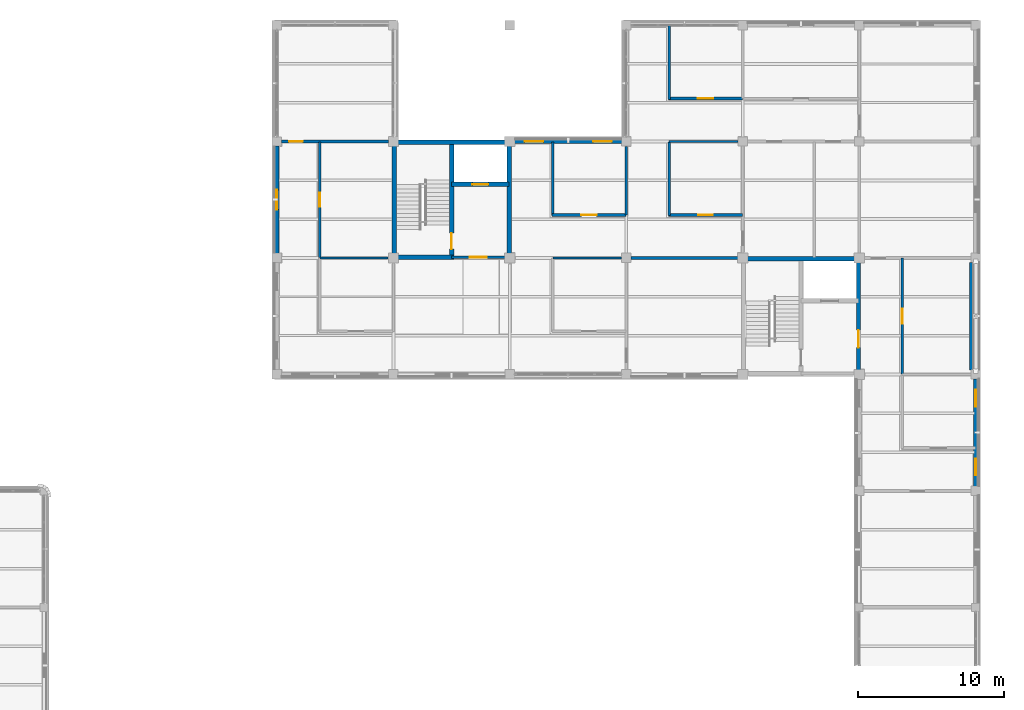
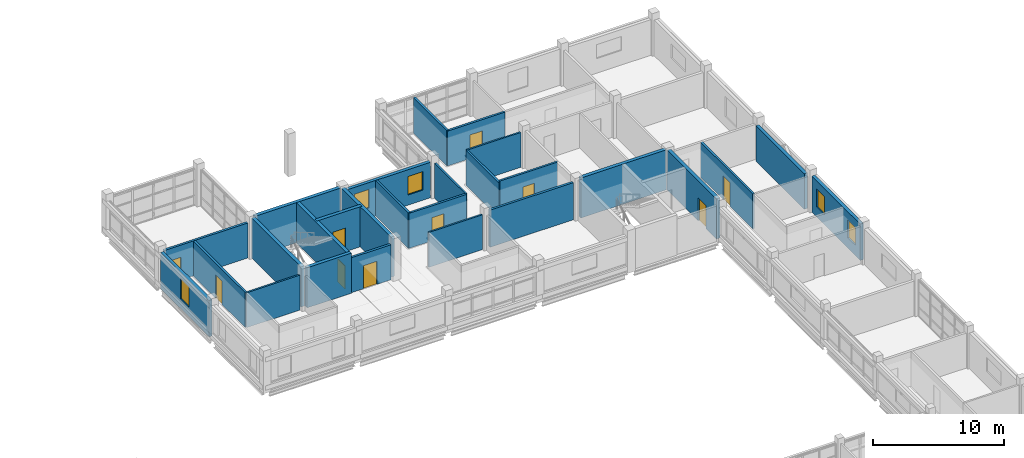
# One storey, part 87 of 107: 27 walls, 10 doors, 5 windows, 15 openings.
"""IFC4 building model written with IfcOpenShell, lengths in metres."""

from ifc_helpers import new_model, si_unit, derived_unit, direction, frame, frame_2d, origin, place, context, subcontext, project, spatial, rectangle, extrude, material, layer, layer_set, type_object, element, fill, save


model = new_model("IFC4")

# Units and contexts
model_context = context("Model", 3, precision=1e-05, world=origin(), true_north=direction((0.0, 1.0)))
body_context = subcontext(model_context, "Body", "Model", "MODEL_VIEW")
ifc_project = project(units=[si_unit("LENGTHUNIT", "METRE"), si_unit("AREAUNIT", "SQUARE_METRE"), si_unit("VOLUMEUNIT", "CUBIC_METRE"), si_unit("PLANEANGLEUNIT", "RADIAN"), si_unit("MASSUNIT", "GRAM", prefix="KILO"), derived_unit("THERMALTRANSMITTANCEUNIT", [(si_unit("MASSUNIT", "GRAM", prefix="KILO"), 1), (si_unit("TIMEUNIT", "SECOND"), -3), (si_unit("THERMODYNAMICTEMPERATUREUNIT", "KELVIN"), -1)])], contexts=[model_context])

# Site, building, storey
site_placement = place(None, origin())
site = spatial("IfcSite", under=ifc_project, at=site_placement, CompositionType="ELEMENT")
building_placement = place(site_placement, origin())
building = spatial("IfcBuilding", under=site, at=building_placement, Name="Veyamyaing Civic Hall", CompositionType="ELEMENT")
storey_placement = place(building_placement, frame((0.0, 0.0, 13.860107421875)))
storey = spatial("IfcBuildingStorey", under=building, at=storey_placement, Name="L03", CompositionType="ELEMENT", Elevation=13.860107421875)

# Wall, opening, window
ifc_material_1 = material(Name="Precast concrete C40/50", Category="concrete")
ifc_layer_1 = layer(ifc_material_1, 0.280029296875, Name="Precast concrete C40/50")
ifc_layer_set_1 = layer_set([ifc_layer_1], Name="Precast concrete C40/50")
wall_type_1 = type_object("IfcWallType", Name="WT-04", PredefinedType="SOLIDWALL", material=ifc_layer_set_1)
wall_1_placement = place(storey_placement, frame((128.0, 96.31005859375, 0.0), z_axis=(0.0, 0.0, 1.0), x_axis=(0.0, 1.0, 0.0)))
wall_1 = element("IfcWall", 1, at=wall_1_placement, inside=storey, type_object=wall_type_1, Name="Exterior facade wall WT-04 L03 W 17.13", PredefinedType="SOLIDWALL", context=body_context, shape_type="SweptSolid", body=[
    extrude(rectangle(XDim=7.3798828125, YDim=0.280029296875, at=frame_2d((3.68994140625, 0.0))), origin(), (0.0, 0.0, 1.0), 3.366943359375),
])
opening_1_placement = place(wall_1_placement, frame((3.014892578125, 0.0, 0.89990234375)))
opening_1 = element("IfcOpeningElement", 2, at=opening_1_placement, cuts=wall_1, Name="Opening W-13", PredefinedType="OPENING", context=body_context, shape_type="SweptSolid", body=[
    extrude(rectangle(XDim=1.35009765625, YDim=1.89990234375, at=frame_2d((0.675048828125, 0.949951171875))), frame((0.0, 0.14990234375, 0.0), z_axis=(0.0, -1.0, 0.0), x_axis=(1.0, 0.0, 0.0)), (0.0, 0.0, 1.0), 0.300048828125),
])
ifc_material_2 = material(Name="Low-E insulated glass", Category="glass")
window_type_1 = type_object("IfcWindowType", Name="W-13", PartitioningType="SINGLE_PANEL", PredefinedType="WINDOW", material=ifc_material_2)
window_1_placement = place(opening_1_placement, origin())
window_1 = element("IfcWindow", 3, at=window_1_placement, inside=storey, type_object=window_type_1, Name="Facade window W-13 L03 W 17.13", OverallHeight=1.89990234375, OverallWidth=1.35009765625, PartitioningType="SINGLE_PANEL", PredefinedType="WINDOW", context=body_context, shape_type="SweptSolid", body=[
    extrude(rectangle(XDim=1.35009765625, YDim=1.89990234375, at=frame_2d((0.675048828125, 0.949951171875))), frame((0.0, 0.030029296875, 0.0), z_axis=(0.0, -1.0, 0.0), x_axis=(1.0, 0.0, 0.0)), (0.0, 0.0, 1.0), 0.06005859375),
])
fill(opening_1, window_1)

# Wall, openings, windows
wall_2_placement = place(storey_placement, frame((144.3349609375, 104.0, 0.0), z_axis=(0.0, 0.0, 1.0), x_axis=(1.0, 0.0, 0.0)))
wall_2 = element("IfcWall", 4, at=wall_2_placement, inside=storey, type_object=wall_type_1, Name="Exterior facade wall WT-04 L03 N 19.13", PredefinedType="SOLIDWALL", context=body_context, shape_type="SweptSolid", body=[
    extrude(rectangle(XDim=7.35498046875, YDim=0.280029296875, at=frame_2d((3.677490234375, 0.0))), origin(), (0.0, 0.0, 1.0), 3.303955078125),
])
opening_2_placement = place(wall_2_placement, frame((0.683837890625, 0.0, 0.949951171875)))
opening_2 = element("IfcOpeningElement", 5, at=opening_2_placement, cuts=wall_2, Name="Opening W-31", PredefinedType="OPENING", context=body_context, shape_type="SweptSolid", body=[
    extrude(rectangle(XDim=1.280029296875, YDim=1.719970703125, at=frame_2d((0.64013671875, 0.85986328125))), frame((0.0, 0.14990234375, 0.0), z_axis=(0.0, -1.0, 0.0), x_axis=(1.0, 0.0, 0.0)), (0.0, 0.0, 1.0), 0.300048828125),
])
opening_3_placement = place(wall_2_placement, frame((5.39111328125, 0.0, 0.949951171875)))
opening_3 = element("IfcOpeningElement", 6, at=opening_3_placement, cuts=wall_2, Name="Opening W-31", PredefinedType="OPENING", context=body_context, shape_type="SweptSolid", body=[
    extrude(rectangle(XDim=1.280029296875, YDim=1.719970703125, at=frame_2d((0.64013671875, 0.85986328125))), frame((0.0, 0.14990234375, 0.0), z_axis=(0.0, -1.0, 0.0), x_axis=(1.0, 0.0, 0.0)), (0.0, 0.0, 1.0), 0.300048828125),
])
window_type_2 = type_object("IfcWindowType", Name="W-31", PartitioningType="SINGLE_PANEL", PredefinedType="WINDOW", material=ifc_material_2)
window_2_placement = place(opening_2_placement, origin())
window_2 = element("IfcWindow", 7, at=window_2_placement, inside=storey, type_object=window_type_2, Name="Facade window W-31 L03 N 19.13.1", OverallHeight=1.719970703125, OverallWidth=1.280029296875, PartitioningType="SINGLE_PANEL", PredefinedType="WINDOW", context=body_context, shape_type="SweptSolid", body=[
    extrude(rectangle(XDim=1.280029296875, YDim=1.719970703125, at=frame_2d((0.64013671875, 0.85986328125))), frame((0.0, 0.030029296875, 0.0), z_axis=(0.0, -1.0, 0.0), x_axis=(1.0, 0.0, 0.0)), (0.0, 0.0, 1.0), 0.06005859375),
])
fill(opening_2, window_2)
window_3_placement = place(opening_3_placement, origin())
window_3 = element("IfcWindow", 8, at=window_3_placement, inside=storey, type_object=window_type_2, Name="Facade window W-31 L03 N 19.13.2", OverallHeight=1.719970703125, OverallWidth=1.280029296875, PartitioningType="SINGLE_PANEL", PredefinedType="WINDOW", context=body_context, shape_type="SweptSolid", body=[
    extrude(rectangle(XDim=1.280029296875, YDim=1.719970703125, at=frame_2d((0.64013671875, 0.85986328125))), frame((0.0, 0.030029296875, 0.0), z_axis=(0.0, -1.0, 0.0), x_axis=(1.0, 0.0, 0.0)), (0.0, 0.0, 1.0), 0.06005859375),
])
fill(opening_3, window_3)

wall_3_placement = place(storey_placement, frame((176.0, 80.31005859375, 0.0), z_axis=(0.0, 0.0, 1.0), x_axis=(0.0, 1.0, 0.0)))
wall_3 = element("IfcWall", 9, at=wall_3_placement, inside=storey, type_object=wall_type_1, Name="Exterior facade wall WT-04 L03 E 22.11", PredefinedType="SOLIDWALL", context=body_context, shape_type="SweptSolid", body=[
    extrude(rectangle(XDim=7.3798828125, YDim=0.280029296875, at=frame_2d((3.68994140625, 0.0))), origin(), (0.0, 0.0, 1.0), 3.366943359375),
])
opening_4_placement = place(wall_3_placement, frame((0.75341796875, 0.0, 0.949951171875)))
opening_4 = element("IfcOpeningElement", 10, at=opening_4_placement, cuts=wall_3, Name="Opening W-32", PredefinedType="OPENING", context=body_context, shape_type="SweptSolid", body=[
    extrude(rectangle(XDim=1.14990234375, YDim=1.64990234375, at=frame_2d((0.574951171875, 0.824951171875))), frame((0.0, 0.14990234375, 0.0), z_axis=(0.0, -1.0, 0.0), x_axis=(1.0, 0.0, 0.0)), (0.0, 0.0, 1.0), 0.300048828125),
])
opening_5_placement = place(wall_3_placement, frame((5.4765625, 0.0, 0.949951171875)))
opening_5 = element("IfcOpeningElement", 11, at=opening_5_placement, cuts=wall_3, Name="Opening W-32", PredefinedType="OPENING", context=body_context, shape_type="SweptSolid", body=[
    extrude(rectangle(XDim=1.14990234375, YDim=1.64990234375, at=frame_2d((0.574951171875, 0.824951171875))), frame((0.0, 0.14990234375, 0.0), z_axis=(0.0, -1.0, 0.0), x_axis=(1.0, 0.0, 0.0)), (0.0, 0.0, 1.0), 0.300048828125),
])
window_type_3 = type_object("IfcWindowType", Name="W-32", PartitioningType="SINGLE_PANEL", PredefinedType="WINDOW", material=ifc_material_2)
window_4_placement = place(opening_4_placement, origin())
window_4 = element("IfcWindow", 12, at=window_4_placement, inside=storey, type_object=window_type_3, Name="Facade window W-32 L03 E 22.11.1", OverallHeight=1.64990234375, OverallWidth=1.14990234375, PartitioningType="SINGLE_PANEL", PredefinedType="WINDOW", context=body_context, shape_type="SweptSolid", body=[
    extrude(rectangle(XDim=1.14990234375, YDim=1.64990234375, at=frame_2d((0.574951171875, 0.824951171875))), frame((0.0, 0.030029296875, 0.0), z_axis=(0.0, -1.0, 0.0), x_axis=(1.0, 0.0, 0.0)), (0.0, 0.0, 1.0), 0.06005859375),
])
fill(opening_4, window_4)
window_5_placement = place(opening_5_placement, origin())
window_5 = element("IfcWindow", 13, at=window_5_placement, inside=storey, type_object=window_type_3, Name="Facade window W-32 L03 E 22.11.2", OverallHeight=1.64990234375, OverallWidth=1.14990234375, PartitioningType="SINGLE_PANEL", PredefinedType="WINDOW", context=body_context, shape_type="SweptSolid", body=[
    extrude(rectangle(XDim=1.14990234375, YDim=1.64990234375, at=frame_2d((0.574951171875, 0.824951171875))), frame((0.0, 0.030029296875, 0.0), z_axis=(0.0, -1.0, 0.0), x_axis=(1.0, 0.0, 0.0)), (0.0, 0.0, 1.0), 0.06005859375),
])
fill(opening_5, window_5)

# Walls
wall_4_placement = place(storey_placement, frame((175.699951171875, 88.31005859375, 0.0), z_axis=(0.0, 0.0, 1.0), x_axis=(0.0, 1.0, 0.0)))
element("IfcWall", 14, at=wall_4_placement, inside=storey, type_object=wall_type_1, Name="Exterior facade wall WT-04 L03 E 22.12", PredefinedType="SOLIDWALL", context=body_context, shape_type="SweptSolid", body=[
    extrude(rectangle(XDim=7.3798828125, YDim=0.280029296875, at=frame_2d((3.68994140625, 0.0))), origin(), (0.0, 0.0, 1.0), 3.2998046875),
])
ifc_material_3 = material(Name="Concrete C40/50", Category="concrete")
ifc_layer_2 = layer(ifc_material_3, 0.300048828125, Name="Concrete C40/50")
ifc_layer_set_2 = layer_set([ifc_layer_2], Name="Concrete C40/50")
wall_type_2 = type_object("IfcWallType", Name="WT-05", PredefinedType="SHEAR", material=ifc_layer_set_2)
wall_5_placement = place(storey_placement, frame((160.239990234375, 95.949951171875, 0.0), z_axis=(0.0, 0.0, 1.0), x_axis=(1.0, 0.0, 0.0)))
element("IfcWall", 15, at=wall_5_placement, inside=storey, type_object=wall_type_2, Name="Core shear wall WT-05 CORE-3 L03.N", PredefinedType="SHEAR", context=body_context, shape_type="SweptSolid", body=[
    extrude(rectangle(XDim=7.52001953125, YDim=0.300048828125, at=frame_2d((3.760009765625, 0.0))), origin(), (0.0, 0.0, 1.0), 3.724853515625),
])

# Wall, opening, door
wall_6_placement = place(storey_placement, frame((167.949951171875, 88.239990234375, 0.0), z_axis=(0.0, 0.0, 1.0), x_axis=(0.0, 1.0, 0.0)))
wall_6 = element("IfcWall", 16, at=wall_6_placement, inside=storey, type_object=wall_type_2, Name="Core shear wall WT-05 CORE-3 L03.E", PredefinedType="SHEAR", context=body_context, shape_type="SweptSolid", body=[
    extrude(rectangle(XDim=7.52001953125, YDim=0.300048828125, at=frame_2d((3.760009765625, 0.0))), origin(), (0.0, 0.0, 1.0), 3.724853515625),
])
opening_6_placement = place(wall_6_placement, frame((1.60009765625, 0.0, 0.0)))
opening_6 = element("IfcOpeningElement", 17, at=opening_6_placement, cuts=wall_6, Name="Opening D-04", PredefinedType="OPENING", context=body_context, shape_type="SweptSolid", body=[
    extrude(rectangle(XDim=1.199951171875, YDim=2.14990234375, at=frame_2d((0.60009765625, 1.074951171875))), frame((0.0, 0.159912109375, 0.0), z_axis=(0.0, -1.0, 0.0), x_axis=(1.0, 0.0, 0.0)), (0.0, 0.0, 1.0), 0.320068359375),
])
ifc_material_4 = material(Name="Galvanized steel S355J2", Category="steel")
door_type_1 = type_object("IfcDoorType", Name="D-04", OperationType="NOTDEFINED", PredefinedType="DOOR", material=ifc_material_4)
door_1_placement = place(opening_6_placement, frame((1.199951171875, 0.0, 0.0), z_axis=(0.0, 0.0, 1.0), x_axis=(-1.0, 0.0, 0.0)))
door_1 = element("IfcDoor", 18, at=door_1_placement, inside=storey, type_object=door_type_1, Name="Protected lobby fire door D-04 CORE-3 L03", OperationType="SINGLE_SWING_RIGHT", OverallHeight=2.14990234375, OverallWidth=1.199951171875, PredefinedType="DOOR", context=body_context, shape_type="SweptSolid", body=[
    extrude(rectangle(XDim=1.199951171875, YDim=2.14990234375, at=frame_2d((0.60009765625, 1.074951171875))), frame((0.0, 0.02490234375, 0.0), z_axis=(0.0, -1.0, 0.0), x_axis=(1.0, 0.0, 0.0)), (0.0, 0.0, 1.0), 0.050048828125),
])
fill(opening_6, door_1)

# Walls
for number, where, z_axis, x_axis, name in (
    (19, (136.050048828125, 96.239990234375, 0.0), (0.0, 0.0, 1.0), (0.0, 1.0, 0.0), "Core shear wall WT-05 CORE-4 L03.W"),
    (20, (136.239990234375, 103.949951171875, 0.0), (0.0, 0.0, 1.0), (1.0, 0.0, 0.0), "Core shear wall WT-05 CORE-4 L03.N"),
    (21, (143.949951171875, 96.239990234375, 0.0), (0.0, 0.0, 1.0), (0.0, 1.0, 0.0), "Core shear wall WT-05 CORE-4 L03.E"),
):
    element("IfcWall", number, at=place(storey_placement, frame(where, z_axis=z_axis, x_axis=x_axis)), inside=storey, type_object=wall_type_2, Name=name, PredefinedType="SHEAR", context=body_context, shape_type="SweptSolid", body=[
        extrude(rectangle(XDim=7.52001953125, YDim=0.300048828125, at=frame_2d((3.760009765625, 0.0))), origin(), (0.0, 0.0, 1.0), 3.724853515625),
    ])
wall_7_placement = place(storey_placement, frame((136.239990234375, 96.050048828125, 0.0), z_axis=(0.0, 0.0, 1.0), x_axis=(1.0, 0.0, 0.0)))
element("IfcWall", 22, at=wall_7_placement, inside=storey, type_object=wall_type_2, Name="Core shear wall WT-05 CORE-4 L03.SS", PredefinedType="SHEAR", context=body_context, shape_type="SweptSolid", body=[
    extrude(rectangle(XDim=3.909912109375, YDim=0.300048828125, at=frame_2d((1.955078125, 0.0))), origin(), (0.0, 0.0, 1.0), 3.724853515625),
])

# Wall, opening, door
wall_8_placement = place(storey_placement, frame((140.0, 96.050048828125, 0.0), z_axis=(0.0, 0.0, 1.0), x_axis=(0.0, 1.0, 0.0)))
wall_8 = element("IfcWall", 23, at=wall_8_placement, inside=storey, type_object=wall_type_2, Name="Core shear wall WT-05 CORE-4 L03.MID", PredefinedType="SHEAR", context=body_context, shape_type="SweptSolid", body=[
    extrude(rectangle(XDim=7.89990234375, YDim=0.300048828125, at=frame_2d((3.949951171875, 0.0))), origin(), (0.0, 0.0, 1.0), 3.724853515625),
])
opening_7_placement = place(wall_8_placement, frame((0.550048828125, 0.0, 0.0)))
opening_7 = element("IfcOpeningElement", 24, at=opening_7_placement, cuts=wall_8, Name="Opening D-03", PredefinedType="OPENING", context=body_context, shape_type="SweptSolid", body=[
    extrude(rectangle(XDim=1.10009765625, YDim=2.14990234375, at=frame_2d((0.550048828125, 1.074951171875))), frame((0.0, 0.159912109375, 0.0), z_axis=(0.0, -1.0, 0.0), x_axis=(1.0, 0.0, 0.0)), (0.0, 0.0, 1.0), 0.320068359375),
])
door_type_2 = type_object("IfcDoorType", Name="D-03", OperationType="NOTDEFINED", PredefinedType="DOOR", material=ifc_material_4)
door_2_placement = place(opening_7_placement, origin())
door_2 = element("IfcDoor", 25, at=door_2_placement, inside=storey, type_object=door_type_2, Name="Exit stair fire door D-03 ST-04 L03", OperationType="SINGLE_SWING_LEFT", OverallHeight=2.14990234375, OverallWidth=1.10009765625, PredefinedType="DOOR", context=body_context, shape_type="SweptSolid", body=[
    extrude(rectangle(XDim=1.10009765625, YDim=2.14990234375, at=frame_2d((0.550048828125, 1.074951171875))), frame((0.0, 0.02490234375, 0.0), z_axis=(0.0, -1.0, 0.0), x_axis=(1.0, 0.0, 0.0)), (0.0, 0.0, 1.0), 0.050048828125),
])
fill(opening_7, door_2)

wall_9_placement = place(storey_placement, frame((140.0, 101.050048828125, 0.0), z_axis=(0.0, 0.0, 1.0), x_axis=(1.0, 0.0, 0.0)))
wall_9 = element("IfcWall", 26, at=wall_9_placement, inside=storey, type_object=wall_type_2, Name="Core shear wall WT-05 CORE-4 L03.LFT", PredefinedType="SHEAR", context=body_context, shape_type="SweptSolid", body=[
    extrude(rectangle(XDim=3.949951171875, YDim=0.300048828125, at=frame_2d((1.97509765625, 0.0))), origin(), (0.0, 0.0, 1.0), 3.724853515625),
])
opening_8_placement = place(wall_9_placement, frame((1.425048828125, 0.0, 0.0)))
opening_8 = element("IfcOpeningElement", 27, at=opening_8_placement, cuts=wall_9, Name="Opening LD-01", PredefinedType="OPENING", context=body_context, shape_type="SweptSolid", body=[
    extrude(rectangle(XDim=1.10009765625, YDim=2.199951171875, at=frame_2d((0.550048828125, 1.10009765625))), frame((0.0, 0.159912109375, 0.0), z_axis=(0.0, -1.0, 0.0), x_axis=(1.0, 0.0, 0.0)), (0.0, 0.0, 1.0), 0.320068359375),
])
ifc_material_5 = material(Name="Anodised aluminium 6063-T6", Category="aluminium")
door_type_3 = type_object("IfcDoorType", Name="LD-01", OperationType="SLIDING_TO_LEFT", PredefinedType="DOOR", material=ifc_material_5)
door_3_placement = place(opening_8_placement, origin())
door_3 = element("IfcDoor", 28, at=door_3_placement, inside=storey, type_object=door_type_3, Name="Lift sliding landing door LD-01 PL-02 L03", OperationType="SLIDING_TO_LEFT", OverallHeight=2.199951171875, OverallWidth=1.10009765625, PredefinedType="DOOR", context=body_context, shape_type="SweptSolid", body=[
    extrude(rectangle(XDim=1.10009765625, YDim=2.199951171875, at=frame_2d((0.550048828125, 1.10009765625))), frame((0.0, 0.02490234375, 0.0), z_axis=(0.0, -1.0, 0.0), x_axis=(1.0, 0.0, 0.0)), (0.0, 0.0, 1.0), 0.050048828125),
])
fill(opening_8, door_3)

ifc_layer_3 = layer(ifc_material_3, 0.199951171875, Name="Concrete C40/50")
ifc_layer_set_3 = layer_set([ifc_layer_3], Name="Concrete C40/50")
wall_type_3 = type_object("IfcWallType", Name="WT-06", PredefinedType="PARTITIONING", material=ifc_layer_set_3)
wall_10_placement = place(storey_placement, frame((140.0, 96.050048828125, 0.0), z_axis=(0.0, 0.0, 1.0), x_axis=(1.0, 0.0, 0.0)))
wall_10 = element("IfcWall", 29, at=wall_10_placement, inside=storey, type_object=wall_type_3, Name="Firefighting lift lobby wall WT-06 CORE-4 L03", PredefinedType="PARTITIONING", context=body_context, shape_type="SweptSolid", body=[
    extrude(rectangle(XDim=3.659912109375, YDim=0.199951171875, at=frame_2d((1.830078125, 0.0))), origin(), (0.0, 0.0, 1.0), 3.2529296875),
])
opening_9_placement = place(wall_10_placement, frame((1.22998046875, 0.0, 0.0)))
opening_9 = element("IfcOpeningElement", 30, at=opening_9_placement, cuts=wall_10, Name="Opening D-04", PredefinedType="OPENING", context=body_context, shape_type="SweptSolid", body=[
    extrude(rectangle(XDim=1.199951171875, YDim=2.14990234375, at=frame_2d((0.60009765625, 1.074951171875))), frame((0.0, 0.10986328125, 0.0), z_axis=(0.0, -1.0, 0.0), x_axis=(1.0, 0.0, 0.0)), (0.0, 0.0, 1.0), 0.219970703125),
])
door_4_placement = place(opening_9_placement, frame((1.199951171875, 0.0, 0.0), z_axis=(0.0, 0.0, 1.0), x_axis=(-1.0, 0.0, 0.0)))
door_4 = element("IfcDoor", 31, at=door_4_placement, inside=storey, type_object=door_type_1, Name="Protected lobby fire door D-04 CORE-4 L03", OperationType="SINGLE_SWING_RIGHT", OverallHeight=2.14990234375, OverallWidth=1.199951171875, PredefinedType="DOOR", context=body_context, shape_type="SweptSolid", body=[
    extrude(rectangle(XDim=1.199951171875, YDim=2.14990234375, at=frame_2d((0.60009765625, 1.074951171875))), frame((0.0, 0.02490234375, 0.0), z_axis=(0.0, -1.0, 0.0), x_axis=(1.0, 0.0, 0.0)), (0.0, 0.0, 1.0), 0.050048828125),
])
fill(opening_9, door_4)

wall_11_placement = place(storey_placement, frame((128.31494140625, 104.0, 0.0), z_axis=(0.0, 0.0, 1.0), x_axis=(1.0, 0.0, 0.0)))
wall_11 = element("IfcWall", 32, at=wall_11_placement, inside=storey, type_object=wall_type_3, Name="Interior partition wall WT-06 L03.22", PredefinedType="PARTITIONING", context=body_context, shape_type="SweptSolid", body=[
    extrude(rectangle(XDim=7.344970703125, YDim=0.199951171875, at=frame_2d((3.67236328125, 0.0))), origin(), (0.0, 0.0, 1.0), 3.2529296875),
])
opening_10_placement = place(wall_11_placement, frame((0.52001953125, 0.0, 0.0)))
opening_10 = element("IfcOpeningElement", 33, at=opening_10_placement, cuts=wall_11, Name="Opening D-30", PredefinedType="OPENING", context=body_context, shape_type="SweptSolid", body=[
    extrude(rectangle(XDim=0.93994140625, YDim=2.1201171875, at=frame_2d((0.469970703125, 1.06005859375))), frame((0.0, 0.10986328125, 0.0), z_axis=(0.0, -1.0, 0.0), x_axis=(1.0, 0.0, 0.0)), (0.0, 0.0, 1.0), 0.219970703125),
])
ifc_material_6 = material(Name="Teak-veneered acoustic timber", Category="wood")
door_type_4 = type_object("IfcDoorType", Name="D-30", OperationType="NOTDEFINED", PredefinedType="DOOR", material=ifc_material_6)
door_5_placement = place(opening_10_placement, origin())
door_5 = element("IfcDoor", 34, at=door_5_placement, inside=storey, type_object=door_type_4, Name="Interior door D-30 L03.22", OperationType="SINGLE_SWING_RIGHT", OverallHeight=2.1201171875, OverallWidth=0.93994140625, PredefinedType="DOOR", context=body_context, shape_type="SweptSolid", body=[
    extrude(rectangle(XDim=0.93994140625, YDim=2.1201171875, at=frame_2d((0.469970703125, 1.06005859375))), frame((0.0, 0.02490234375, 0.0), z_axis=(0.0, -1.0, 0.0), x_axis=(1.0, 0.0, 0.0)), (0.0, 0.0, 1.0), 0.050048828125),
])
fill(opening_10, door_5)

# Wall
wall_12_placement = place(storey_placement, frame((152.31494140625, 96.0, 0.0), z_axis=(0.0, 0.0, 1.0), x_axis=(1.0, 0.0, 0.0)))
element("IfcWall", 35, at=wall_12_placement, inside=storey, type_object=wall_type_3, Name="Interior partition wall WT-06 L03.25", PredefinedType="PARTITIONING", context=body_context, shape_type="SweptSolid", body=[
    extrude(rectangle(XDim=7.344970703125, YDim=0.199951171875, at=frame_2d((3.67236328125, 0.0))), origin(), (0.0, 0.0, 1.0), 3.451904296875),
])

# Wall, opening, door
ifc_material_7 = material(Name="Gypsum board on acoustic steel stud", Category="steel")
ifc_layer_4 = layer(ifc_material_7, 0.175048828125, Name="Gypsum board on acoustic steel stud")
ifc_layer_set_4 = layer_set([ifc_layer_4], Name="Gypsum board on acoustic steel stud")
wall_type_4 = type_object("IfcWallType", Name="WT-07", PredefinedType="PARTITIONING", material=ifc_layer_set_4)
wall_13_placement = place(storey_placement, frame((154.89990234375, 98.949951171875, 0.0), z_axis=(0.0, 0.0, 1.0), x_axis=(1.0, 0.0, 0.0)))
wall_13 = element("IfcWall", 36, at=wall_13_placement, inside=storey, type_object=wall_type_4, Name="Corridor gallery partition WT-07 L03.49.1", PredefinedType="PARTITIONING", context=body_context, shape_type="SweptSolid", body=[
    extrude(rectangle(XDim=5.080078125, YDim=0.175048828125, at=frame_2d((2.5400390625, 0.0))), origin(), (0.0, 0.0, 1.0), 3.451904296875),
])
opening_11_placement = place(wall_13_placement, frame((2.030029296875, 0.0, 0.0)))
opening_11 = element("IfcOpeningElement", 37, at=opening_11_placement, cuts=wall_13, Name="Opening D-19", PredefinedType="OPENING", context=body_context, shape_type="SweptSolid", body=[
    extrude(rectangle(XDim=1.02001953125, YDim=2.199951171875, at=frame_2d((0.510009765625, 1.10009765625))), frame((0.0, 0.097412109375, 0.0), z_axis=(0.0, -1.0, 0.0), x_axis=(1.0, 0.0, 0.0)), (0.0, 0.0, 1.0), 0.195068359375),
])
door_type_5 = type_object("IfcDoorType", Name="D-19", OperationType="NOTDEFINED", PredefinedType="DOOR", material=ifc_material_6)
door_6_placement = place(opening_11_placement, origin())
door_6 = element("IfcDoor", 38, at=door_6_placement, inside=storey, type_object=door_type_5, Name="Gallery office door D-19 L03.49", OperationType="SINGLE_SWING_LEFT", OverallHeight=2.199951171875, OverallWidth=1.02001953125, PredefinedType="DOOR", context=body_context, shape_type="SweptSolid", body=[
    extrude(rectangle(XDim=1.02001953125, YDim=2.199951171875, at=frame_2d((0.510009765625, 1.10009765625))), frame((0.0, 0.02490234375, 0.0), z_axis=(0.0, -1.0, 0.0), x_axis=(1.0, 0.0, 0.0)), (0.0, 0.0, 1.0), 0.050048828125),
])
fill(opening_11, door_6)

# Wall
wall_14_placement = place(storey_placement, frame((154.949951171875, 98.89990234375, 0.0), z_axis=(0.0, 0.0, 1.0), x_axis=(0.0, 1.0, 0.0)))
element("IfcWall", 39, at=wall_14_placement, inside=storey, type_object=wall_type_4, Name="Corridor gallery partition WT-07 L03.49.2", PredefinedType="PARTITIONING", context=body_context, shape_type="SweptSolid", body=[
    extrude(rectangle(XDim=5.080078125, YDim=0.175048828125, at=frame_2d((2.5400390625, 0.0))), origin(), (0.0, 0.0, 1.0), 3.246826171875),
])

# Wall, opening, door
wall_15_placement = place(storey_placement, frame((170.949951171875, 88.02001953125, 0.0), z_axis=(0.0, 0.0, 1.0), x_axis=(0.0, 1.0, 0.0)))
wall_15 = element("IfcWall", 40, at=wall_15_placement, inside=storey, type_object=wall_type_4, Name="Corridor gallery partition WT-07 L03.61.1", PredefinedType="PARTITIONING", context=body_context, shape_type="SweptSolid", body=[
    extrude(rectangle(XDim=7.9599609375, YDim=0.175048828125, at=frame_2d((3.97998046875, 0.0))), origin(), (0.0, 0.0, 1.0), 3.246826171875),
])
opening_12_placement = place(wall_15_placement, frame((3.4599609375, 0.0, 0.0)))
opening_12 = element("IfcOpeningElement", 41, at=opening_12_placement, cuts=wall_15, Name="Opening D-24", PredefinedType="OPENING", context=body_context, shape_type="SweptSolid", body=[
    extrude(rectangle(XDim=1.0400390625, YDim=2.179931640625, at=frame_2d((0.52001953125, 1.08984375))), frame((0.0, 0.097412109375, 0.0), z_axis=(0.0, -1.0, 0.0), x_axis=(1.0, 0.0, 0.0)), (0.0, 0.0, 1.0), 0.195068359375),
])
door_type_6 = type_object("IfcDoorType", Name="D-24", OperationType="NOTDEFINED", PredefinedType="DOOR", material=ifc_material_6)
door_7_placement = place(opening_12_placement, frame((1.0400390625, 0.0, 0.0), z_axis=(0.0, 0.0, 1.0), x_axis=(-1.0, 0.0, 0.0)))
door_7 = element("IfcDoor", 42, at=door_7_placement, inside=storey, type_object=door_type_6, Name="Gallery office door D-24 L03.61", OperationType="SINGLE_SWING_LEFT", OverallHeight=2.179931640625, OverallWidth=1.0400390625, PredefinedType="DOOR", context=body_context, shape_type="SweptSolid", body=[
    extrude(rectangle(XDim=1.0400390625, YDim=2.179931640625, at=frame_2d((0.52001953125, 1.08984375))), frame((0.0, 0.02490234375, 0.0), z_axis=(0.0, -1.0, 0.0), x_axis=(1.0, 0.0, 0.0)), (0.0, 0.0, 1.0), 0.050048828125),
])
fill(opening_12, door_7)

# Walls
ifc_material_8 = material(Name="Gypsum board on steel stud", Category="steel")
ifc_layer_5 = layer(ifc_material_8, 0.14990234375, Name="Gypsum board on steel stud")
ifc_layer_set_5 = layer_set([ifc_layer_5], Name="Gypsum board on steel stud")
wall_type_5 = type_object("IfcWallType", Name="WT-08", PredefinedType="PARTITIONING", material=ifc_layer_set_5)
wall_16_placement = place(storey_placement, frame((130.949951171875, 96.0, 0.0), z_axis=(0.0, 0.0, 1.0), x_axis=(1.0, 0.0, 0.0)))
element("IfcWall", 43, at=wall_16_placement, inside=storey, type_object=wall_type_5, Name="Gallery office end partition WT-08 L03.37.1", PredefinedType="PARTITIONING", context=body_context, shape_type="SweptSolid", body=[
    extrude(rectangle(XDim=4.68994140625, YDim=0.14990234375, at=frame_2d((2.344970703125, 0.0))), origin(), (0.0, 0.0, 1.0), 3.246826171875),
])
wall_17_placement = place(storey_placement, frame((146.949951171875, 96.0, 0.0), z_axis=(0.0, 0.0, 1.0), x_axis=(1.0, 0.0, 0.0)))
element("IfcWall", 44, at=wall_17_placement, inside=storey, type_object=wall_type_5, Name="Gallery office end partition WT-08 L03.45.1", PredefinedType="PARTITIONING", context=body_context, shape_type="SweptSolid", body=[
    extrude(rectangle(XDim=4.715087890625, YDim=0.14990234375, at=frame_2d((2.357421875, 0.0))), origin(), (0.0, 0.0, 1.0), 3.240966796875),
])
wall_18_placement = place(storey_placement, frame((152.0, 98.949951171875, 0.0), z_axis=(0.0, 0.0, 1.0), x_axis=(0.0, 1.0, 0.0)))
element("IfcWall", 45, at=wall_18_placement, inside=storey, type_object=wall_type_5, Name="Gallery office end partition WT-08 L03.46.2", PredefinedType="PARTITIONING", context=body_context, shape_type="SweptSolid", body=[
    extrude(rectangle(XDim=4.715087890625, YDim=0.14990234375, at=frame_2d((2.357421875, 0.0))), origin(), (0.0, 0.0, 1.0), 3.2529296875),
])
wall_19_placement = place(storey_placement, frame((154.949951171875, 104.0, 0.0), z_axis=(0.0, 0.0, 1.0), x_axis=(1.0, 0.0, 0.0)))
element("IfcWall", 46, at=wall_19_placement, inside=storey, type_object=wall_type_5, Name="Gallery office end partition WT-08 L03.49.1", PredefinedType="PARTITIONING", context=body_context, shape_type="SweptSolid", body=[
    extrude(rectangle(XDim=4.715087890625, YDim=0.14990234375, at=frame_2d((2.357421875, 0.0))), origin(), (0.0, 0.0, 1.0), 3.246826171875),
])

# Wall, opening, door
ifc_material_9 = material(Name="Gypsum board on double acoustic stud")
ifc_layer_6 = layer(ifc_material_9, 0.18505859375, Name="Gypsum board on double acoustic stud")
ifc_layer_set_6 = layer_set([ifc_layer_6], Name="Gypsum board on double acoustic stud")
wall_type_6 = type_object("IfcWallType", Name="WT-19", PredefinedType="PARTITIONING", material=ifc_layer_set_6)
wall_20_placement = place(storey_placement, frame((130.949951171875, 96.02001953125, 0.0), z_axis=(0.0, 0.0, 1.0), x_axis=(0.0, 1.0, 0.0)))
wall_20 = element("IfcWall", 47, at=wall_20_placement, inside=storey, type_object=wall_type_6, Name="Corridor gallery partition WT-19 L03.38.1", PredefinedType="PARTITIONING", context=body_context, shape_type="SweptSolid", body=[
    extrude(rectangle(XDim=7.9599609375, YDim=0.18505859375, at=frame_2d((3.97998046875, 0.0))), origin(), (0.0, 0.0, 1.0), 3.246826171875),
])
opening_13_placement = place(wall_20_placement, frame((3.489990234375, 0.0, 0.0)))
opening_13 = element("IfcOpeningElement", 48, at=opening_13_placement, cuts=wall_20, Name="Opening D-14", PredefinedType="OPENING", context=body_context, shape_type="SweptSolid", body=[
    extrude(rectangle(XDim=0.97998046875, YDim=2.14990234375, at=frame_2d((0.489990234375, 1.074951171875))), frame((0.0, 0.1025390625, 0.0), z_axis=(0.0, -1.0, 0.0), x_axis=(1.0, 0.0, 0.0)), (0.0, 0.0, 1.0), 0.205078125),
])
door_type_7 = type_object("IfcDoorType", Name="D-14", OperationType="NOTDEFINED", PredefinedType="DOOR", material=ifc_material_6)
door_8_placement = place(opening_13_placement, frame((0.97998046875, 0.0, 0.0), z_axis=(0.0, 0.0, 1.0), x_axis=(-1.0, 0.0, 0.0)))
door_8 = element("IfcDoor", 49, at=door_8_placement, inside=storey, type_object=door_type_7, Name="Gallery office door D-14 L03.38", OperationType="SINGLE_SWING_RIGHT", OverallHeight=2.14990234375, OverallWidth=0.97998046875, PredefinedType="DOOR", context=body_context, shape_type="SweptSolid", body=[
    extrude(rectangle(XDim=0.97998046875, YDim=2.14990234375, at=frame_2d((0.489990234375, 1.074951171875))), frame((0.0, 0.02490234375, 0.0), z_axis=(0.0, -1.0, 0.0), x_axis=(1.0, 0.0, 0.0)), (0.0, 0.0, 1.0), 0.050048828125),
])
fill(opening_13, door_8)

wall_21_placement = place(storey_placement, frame((146.89990234375, 98.949951171875, 0.0), z_axis=(0.0, 0.0, 1.0), x_axis=(1.0, 0.0, 0.0)))
wall_21 = element("IfcWall", 50, at=wall_21_placement, inside=storey, type_object=wall_type_6, Name="Corridor gallery partition WT-19 L03.46.1", PredefinedType="PARTITIONING", context=body_context, shape_type="SweptSolid", body=[
    extrude(rectangle(XDim=5.080078125, YDim=0.18505859375, at=frame_2d((2.5400390625, 0.0))), origin(), (0.0, 0.0, 1.0), 3.2529296875),
])
opening_14_placement = place(wall_21_placement, frame((2.014892578125, 0.0, 0.0)))
opening_14 = element("IfcOpeningElement", 51, at=opening_14_placement, cuts=wall_21, Name="Opening D-12", PredefinedType="OPENING", context=body_context, shape_type="SweptSolid", body=[
    extrude(rectangle(XDim=1.050048828125, YDim=2.14990234375, at=frame_2d((0.52490234375, 1.074951171875))), frame((0.0, 0.1025390625, 0.0), z_axis=(0.0, -1.0, 0.0), x_axis=(1.0, 0.0, 0.0)), (0.0, 0.0, 1.0), 0.205078125),
])
door_type_8 = type_object("IfcDoorType", Name="D-12", OperationType="NOTDEFINED", PredefinedType="DOOR", material=ifc_material_6)
door_9_placement = place(opening_14_placement, origin())
door_9 = element("IfcDoor", 52, at=door_9_placement, inside=storey, type_object=door_type_8, Name="Gallery office door D-12 L03.46", OperationType="SINGLE_SWING_RIGHT", OverallHeight=2.14990234375, OverallWidth=1.050048828125, PredefinedType="DOOR", context=body_context, shape_type="SweptSolid", body=[
    extrude(rectangle(XDim=1.050048828125, YDim=2.14990234375, at=frame_2d((0.52490234375, 1.074951171875))), frame((0.0, 0.02490234375, 0.0), z_axis=(0.0, -1.0, 0.0), x_axis=(1.0, 0.0, 0.0)), (0.0, 0.0, 1.0), 0.050048828125),
])
fill(opening_14, door_9)

# Wall
wall_22_placement = place(storey_placement, frame((146.949951171875, 98.89990234375, 0.0), z_axis=(0.0, 0.0, 1.0), x_axis=(0.0, 1.0, 0.0)))
element("IfcWall", 53, at=wall_22_placement, inside=storey, type_object=wall_type_6, Name="Corridor gallery partition WT-19 L03.46.2", PredefinedType="PARTITIONING", context=body_context, shape_type="SweptSolid", body=[
    extrude(rectangle(XDim=5.080078125, YDim=0.18505859375, at=frame_2d((2.5400390625, 0.0))), origin(), (0.0, 0.0, 1.0), 3.296875),
])

# Wall, opening, door
wall_23_placement = place(storey_placement, frame((154.89990234375, 106.949951171875, 0.0), z_axis=(0.0, 0.0, 1.0), x_axis=(1.0, 0.0, 0.0)))
wall_23 = element("IfcWall", 54, at=wall_23_placement, inside=storey, type_object=wall_type_6, Name="Corridor gallery partition WT-19 L03.50.1", PredefinedType="PARTITIONING", context=body_context, shape_type="SweptSolid", body=[
    extrude(rectangle(XDim=5.080078125, YDim=0.18505859375, at=frame_2d((2.5400390625, 0.0))), origin(), (0.0, 0.0, 1.0), 3.246826171875),
])
opening_15_placement = place(wall_23_placement, frame((2.0, 0.0, 0.0)))
opening_15 = element("IfcOpeningElement", 55, at=opening_15_placement, cuts=wall_23, Name="Opening D-23", PredefinedType="OPENING", context=body_context, shape_type="SweptSolid", body=[
    extrude(rectangle(XDim=1.080078125, YDim=2.199951171875, at=frame_2d((0.5400390625, 1.10009765625))), frame((0.0, 0.1025390625, 0.0), z_axis=(0.0, -1.0, 0.0), x_axis=(1.0, 0.0, 0.0)), (0.0, 0.0, 1.0), 0.205078125),
])
door_type_9 = type_object("IfcDoorType", Name="D-23", OperationType="NOTDEFINED", PredefinedType="DOOR", material=ifc_material_6)
door_10_placement = place(opening_15_placement, origin())
door_10 = element("IfcDoor", 56, at=door_10_placement, inside=storey, type_object=door_type_9, Name="Gallery office door D-23 L03.50", OperationType="SINGLE_SWING_RIGHT", OverallHeight=2.199951171875, OverallWidth=1.080078125, PredefinedType="DOOR", context=body_context, shape_type="SweptSolid", body=[
    extrude(rectangle(XDim=1.080078125, YDim=2.199951171875, at=frame_2d((0.5400390625, 1.10009765625))), frame((0.0, 0.02490234375, 0.0), z_axis=(0.0, -1.0, 0.0), x_axis=(1.0, 0.0, 0.0)), (0.0, 0.0, 1.0), 0.050048828125),
])
fill(opening_15, door_10)

# Wall
wall_24_placement = place(storey_placement, frame((154.949951171875, 106.89990234375, 0.0), z_axis=(0.0, 0.0, 1.0), x_axis=(0.0, 1.0, 0.0)))
element("IfcWall", 57, at=wall_24_placement, inside=storey, type_object=wall_type_6, Name="Corridor gallery partition WT-19 L03.50.2", PredefinedType="PARTITIONING", context=body_context, shape_type="SweptSolid", body=[
    extrude(rectangle(XDim=5.080078125, YDim=0.18505859375, at=frame_2d((2.5400390625, 0.0))), origin(), (0.0, 0.0, 1.0), 3.29296875),
])

save(model, "model.ifc")
